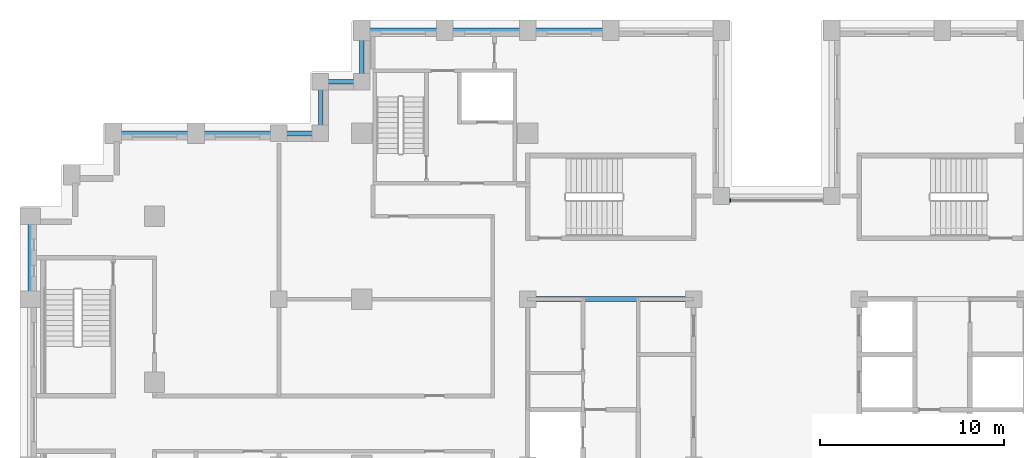
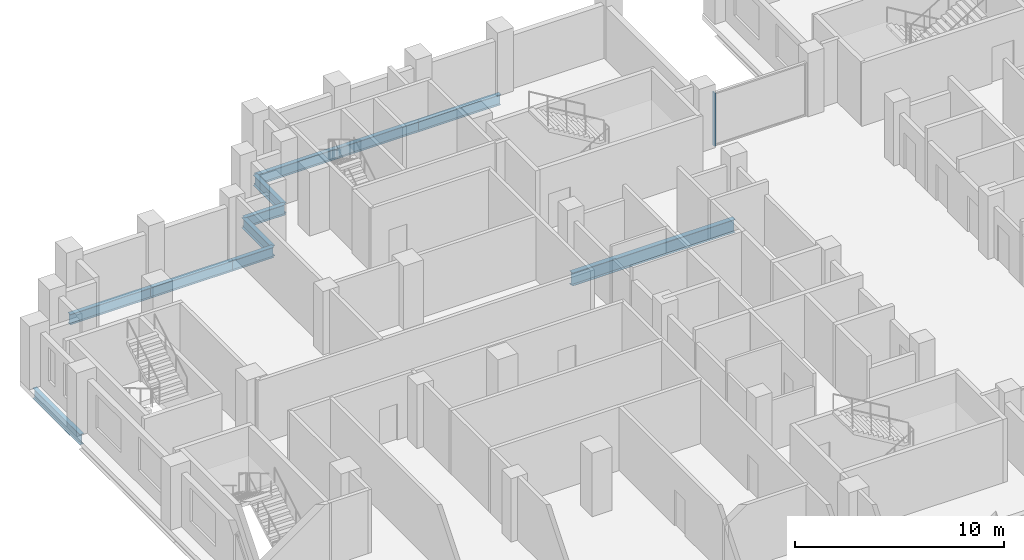
# One storey, part 3 of 15: 11 beams, 1 member, 1 element without a shape of its own.
"""IFC4 building model written with IfcOpenShell, lengths in metres."""

from ifc_helpers import new_model, si_unit, direction, frame, origin, origin_2d, place, context, subcontext, project, spatial, rectangle, i_section, extrude, material, layer, layer_set, material_profile, profile_set, type_object, element, aggregate, save


model = new_model("IFC4")

# Units and contexts
model_context = context("Model", 3, precision=1e-05, world=origin(), true_north=direction((0.0, 1.0)))
body_context = subcontext(model_context, "Body", "Model", "MODEL_VIEW")
ifc_project = project(units=[si_unit("LENGTHUNIT", "METRE"), si_unit("AREAUNIT", "SQUARE_METRE"), si_unit("VOLUMEUNIT", "CUBIC_METRE"), si_unit("PLANEANGLEUNIT", "RADIAN"), si_unit("MASSUNIT", "GRAM", prefix="KILO")], contexts=[model_context])

# Site, building, storey
site_placement = place(None, origin())
site = spatial("IfcSite", under=ifc_project, at=site_placement, CompositionType="ELEMENT")
building_placement = place(site_placement, origin())
building = spatial("IfcBuilding", under=site, at=building_placement, Name="Corbelhall Arena Tower", CompositionType="ELEMENT")
storey_placement = place(building_placement, frame((0.0, 0.0, 134.0)))
storey = spatial("IfcBuildingStorey", under=building, at=storey_placement, Name="L25", CompositionType="ELEMENT", Elevation=134.0)

# Curtain wall, member
ifc_material_1 = material(Name="Aluminium black anodised", Category="aluminium")
ifc_layer = layer(ifc_material_1, 0.199951171875)
ifc_layer_set = layer_set([ifc_layer], Name="EV-CW1 Slot back wall")
curtain_wall_type = type_object("IfcCurtainWallType", Name="EV-CW1 Slot back wall", PredefinedType="NOTDEFINED", material=ifc_layer_set)
curtain_wall_placement = place(storey_placement, origin())
curtain_wall = element("IfcCurtainWall", 1, at=curtain_wall_placement, inside=storey, type_object=curtain_wall_type, Name="Curtain wall CW1", PredefinedType="NOTDEFINED")
ifc_material_profile_1 = material_profile(ifc_material_1, rectangle(XDim=0.199951171875, YDim=0.074951171875, at=origin_2d()))
ifc_profile_set_1 = profile_set([ifc_material_profile_1], Name="Aluminium black anodised")
member_type = type_object("IfcMemberType", Name="EV-CW1-MULLION", PredefinedType="MULLION", material=ifc_profile_set_1)
member_placement = place(storey_placement, frame((-2.512451171875, 14.35009765625, 0.0), z_axis=(0.0, 0.0, 1.0), x_axis=(0.0, -1.0, 0.0)))
member = element("IfcMember", 2, at=member_placement, type_object=member_type, Name="CW1 mullion 2", PredefinedType="MULLION", context=body_context, shape_type="SweptSolid", body=[
    extrude(rectangle(XDim=0.199951171875, YDim=0.074951171875, at=origin_2d()), origin(), (0.0, 0.0, 1.0), 3.10009765625),
])
aggregate(curtain_wall, [member])

# Beams
ifc_material_2 = material(Name="Steel ASTM A992 Gr50", Category="steel")
ifc_material_profile_2 = material_profile(ifc_material_2, i_section(OverallWidth=0.2666015625, OverallDepth=0.761962890625, WebThickness=0.014404296875, FlangeThickness=0.021484375, at=origin_2d()))
ifc_profile_set_2 = profile_set([ifc_material_profile_2], Name="Steel ASTM A992 Gr50")
beam_type_1 = type_object("IfcBeamType", Name="ST-BEAM-W30x116", PredefinedType="BEAM", material=ifc_profile_set_2)
beam_1_placement = place(storey_placement, frame((-13.5, 9.0, -0.680908203125), z_axis=(1.0, 0.0, 0.0), x_axis=(0.0, 1.0, 0.0)))
element("IfcBeam", 3, at=beam_1_placement, inside=storey, type_object=beam_type_1, Name="Beam CEW 6", PredefinedType="BEAM", context=body_context, shape_type="SweptSolid", body=[
    extrude(i_section(OverallWidth=0.2666015625, OverallDepth=0.761962890625, WebThickness=0.014404296875, FlangeThickness=0.021484375, at=origin_2d()), origin(), (0.0, 0.0, 1.0), 9.0),
])
ifc_material_profile_3 = material_profile(ifc_material_2, i_section(OverallWidth=0.22900390625, OverallDepth=0.612060546875, WebThickness=0.011962890625, FlangeThickness=0.01953125, at=origin_2d()))
ifc_profile_set_3 = profile_set([ifc_material_profile_3], Name="Steel ASTM A992 Gr50")
beam_type_2 = type_object("IfcBeamType", Name="ST-SPANDREL-W24x84", PredefinedType="SPANDREL", material=ifc_profile_set_3)
for number, where, z_axis, x_axis, name in (
    (4, (-40.5, 9.0, -0.60595703125), (0.0, 1.0, 0.0), (-1.0, 0.0, 0.0), "Beam SP 2"),
    (5, (-31.5, 18.0, -0.60595703125), (1.0, 0.0, 0.0), (0.0, 1.0, 0.0), "Beam SP 5"),
    (6, (-36.0, 18.0, -0.60595703125), (1.0, 0.0, 0.0), (0.0, 1.0, 0.0), "Beam SP 6"),
    (7, (-13.5, 23.60009765625, -0.60595703125), (1.0, 0.0, 0.0), (0.0, 1.0, 0.0), "Beam SP 24"),
    (8, (-18.0, 23.60009765625, -0.60595703125), (1.0, 0.0, 0.0), (0.0, 1.0, 0.0), "Beam SP 25"),
    (9, (-22.5, 23.60009765625, -0.60595703125), (1.0, 0.0, 0.0), (0.0, 1.0, 0.0), "Beam SP 26"),
):
    element("IfcBeam", number, at=place(storey_placement, frame(where, z_axis=z_axis, x_axis=x_axis)), inside=storey, type_object=beam_type_2, Name=name, PredefinedType="SPANDREL", context=body_context, shape_type="SweptSolid", body=[
        extrude(i_section(OverallWidth=0.22900390625, OverallDepth=0.612060546875, WebThickness=0.011962890625, FlangeThickness=0.01953125, at=origin_2d()), origin(), (0.0, 0.0, 1.0), 4.5),
    ])
beam_2_placement = place(storey_placement, frame((-27.0, 18.0, -0.60595703125), z_axis=(1.0, 0.0, 0.0), x_axis=(0.0, 1.0, 0.0)))
element("IfcBeam", 10, at=beam_2_placement, inside=storey, type_object=beam_type_2, Name="Beam SP 37", PredefinedType="SPANDREL", context=body_context, shape_type="SweptSolid", body=[
    extrude(i_section(OverallWidth=0.22900390625, OverallDepth=0.612060546875, WebThickness=0.011962890625, FlangeThickness=0.01953125, at=origin_2d()), origin(), (0.0, 0.0, 1.0), 2.25),
])
beam_3_placement = place(storey_placement, frame((-22.5, 20.800048828125, -0.60595703125), z_axis=(0.0, 1.0, 0.0), x_axis=(-1.0, 0.0, 0.0)))
element("IfcBeam", 11, at=beam_3_placement, inside=storey, type_object=beam_type_2, Name="Beam SP 46", PredefinedType="SPANDREL", context=body_context, shape_type="SweptSolid", body=[
    extrude(i_section(OverallWidth=0.22900390625, OverallDepth=0.612060546875, WebThickness=0.011962890625, FlangeThickness=0.01953125, at=origin_2d()), origin(), (0.0, 0.0, 1.0), 2.800048828125),
])
beam_4_placement = place(storey_placement, frame((-24.75, 20.800048828125, -0.60595703125), z_axis=(1.0, 0.0, 0.0), x_axis=(0.0, 1.0, 0.0)))
element("IfcBeam", 12, at=beam_4_placement, inside=storey, type_object=beam_type_2, Name="Beam SP 47", PredefinedType="SPANDREL", context=body_context, shape_type="SweptSolid", body=[
    extrude(i_section(OverallWidth=0.22900390625, OverallDepth=0.612060546875, WebThickness=0.011962890625, FlangeThickness=0.01953125, at=origin_2d()), origin(), (0.0, 0.0, 1.0), 2.25),
])
beam_5_placement = place(storey_placement, frame((-24.75, 18.0, -0.60595703125), z_axis=(0.0, 1.0, 0.0), x_axis=(-1.0, 0.0, 0.0)))
element("IfcBeam", 13, at=beam_5_placement, inside=storey, type_object=beam_type_2, Name="Beam SP 48", PredefinedType="SPANDREL", context=body_context, shape_type="SweptSolid", body=[
    extrude(i_section(OverallWidth=0.22900390625, OverallDepth=0.612060546875, WebThickness=0.011962890625, FlangeThickness=0.01953125, at=origin_2d()), origin(), (0.0, 0.0, 1.0), 2.800048828125),
])

save(model, "model.ifc")
